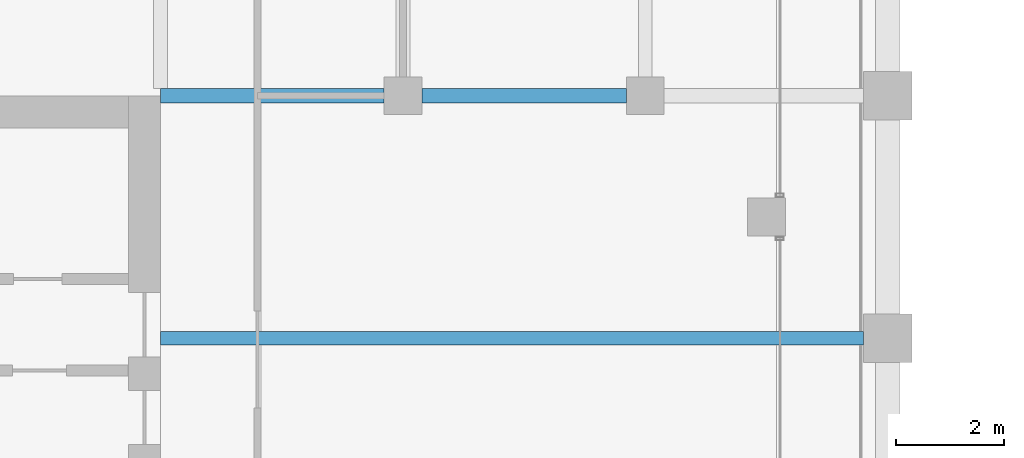
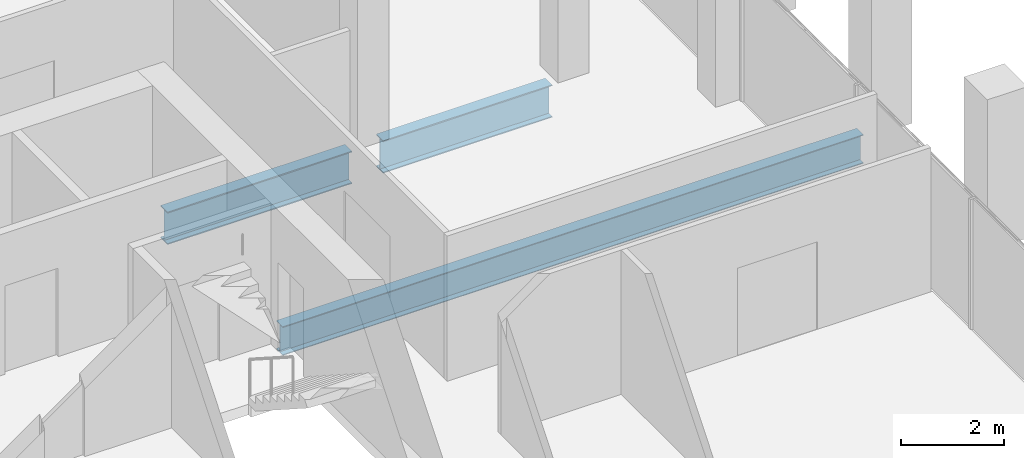
# One storey, part 18 of 40: 3 beams.
"""IFC4 building model written with IfcOpenShell, lengths in metres."""

from ifc_helpers import new_model, si_unit, direction, frame, origin, origin_2d, place, context, subcontext, project, spatial, i_section, extrude, material, material_profile, profile_set, type_object, element, save


model = new_model("IFC4")

# Units and contexts
model_context = context("Model", 3, precision=1e-05, world=origin(), true_north=direction((0.0, 1.0)))
body_context = subcontext(model_context, "Body", "Model", "MODEL_VIEW")
ifc_project = project(units=[si_unit("LENGTHUNIT", "METRE"), si_unit("AREAUNIT", "SQUARE_METRE"), si_unit("VOLUMEUNIT", "CUBIC_METRE"), si_unit("PLANEANGLEUNIT", "RADIAN"), si_unit("MASSUNIT", "GRAM", prefix="KILO")], contexts=[model_context])

# Site, building, storey
site_placement = place(None, origin())
site = spatial("IfcSite", under=ifc_project, at=site_placement, CompositionType="ELEMENT")
building_placement = place(site_placement, origin())
building = spatial("IfcBuilding", under=site, at=building_placement, Name="Altepetl Exchange Towers", CompositionType="ELEMENT")
storey_placement = place(building_placement, frame((0.0, 0.0, 158.199951171875)))
storey = spatial("IfcBuildingStorey", under=building, at=storey_placement, Name="L39", CompositionType="ELEMENT", Elevation=158.199951171875)

# Beams
ifc_material = material(Name="Steel S355", Category="steel")
ifc_material_profile_1 = material_profile(ifc_material, i_section(OverallWidth=0.25390625, OverallDepth=0.68408203125, WebThickness=0.012451171875, FlangeThickness=0.018798828125, at=origin_2d()), Name="W27X94")
ifc_profile_set_1 = profile_set([ifc_material_profile_1], Name="Steel S355")
beam_type_1 = type_object("IfcBeamType", Name="Floor beam W27X94", PredefinedType="BEAM", material=ifc_profile_set_1)
beam_1_placement = place(storey_placement, frame((58.5, 54.0, -0.491943359375), z_axis=(1.0, 0.0, 0.0), x_axis=(0.0, 1.0, 0.0)))
element("IfcBeam", 1, at=beam_1_placement, inside=storey, type_object=beam_type_1, Name="bm:A:L39:011", PredefinedType="BEAM", context=body_context, shape_type="SweptSolid", body=[
    extrude(i_section(OverallWidth=0.25390625, OverallDepth=0.68408203125, WebThickness=0.012451171875, FlangeThickness=0.018798828125, at=origin_2d()), origin(), (0.0, 0.0, 1.0), 13.050048828125),
])
ifc_material_profile_2 = material_profile(ifc_material, i_section(OverallWidth=0.26806640625, OverallDepth=0.77392578125, WebThickness=0.015380859375, FlangeThickness=0.025390625, at=origin_2d()), Name="W30X132")
ifc_profile_set_2 = profile_set([ifc_material_profile_2], Name="Steel S355")
beam_type_2 = type_object("IfcBeamType", Name="Girder W30X132", PredefinedType="BEAM", material=ifc_profile_set_2)
beam_2_placement = place(storey_placement, frame((58.5, 58.5, -0.536865234375), z_axis=(1.0, 0.0, 0.0), x_axis=(0.0, 1.0, 0.0)))
element("IfcBeam", 2, at=beam_2_placement, inside=storey, type_object=beam_type_2, Name="gd:A:L39:000", PredefinedType="BEAM", context=body_context, shape_type="SweptSolid", body=[
    extrude(i_section(OverallWidth=0.26806640625, OverallDepth=0.77392578125, WebThickness=0.015380859375, FlangeThickness=0.025390625, at=origin_2d()), origin(), (0.0, 0.0, 1.0), 4.14990234375),
])
beam_3_placement = place(storey_placement, frame((63.35009765625, 58.5, -0.536865234375), z_axis=(1.0, 0.0, 0.0), x_axis=(0.0, 1.0, 0.0)))
element("IfcBeam", 3, at=beam_3_placement, inside=storey, type_object=beam_type_2, Name="gd:A:L39:001", PredefinedType="BEAM", context=body_context, shape_type="SweptSolid", body=[
    extrude(i_section(OverallWidth=0.26806640625, OverallDepth=0.77392578125, WebThickness=0.015380859375, FlangeThickness=0.025390625, at=origin_2d()), origin(), (0.0, 0.0, 1.0), 3.7998046875),
])

save(model, "model.ifc")
